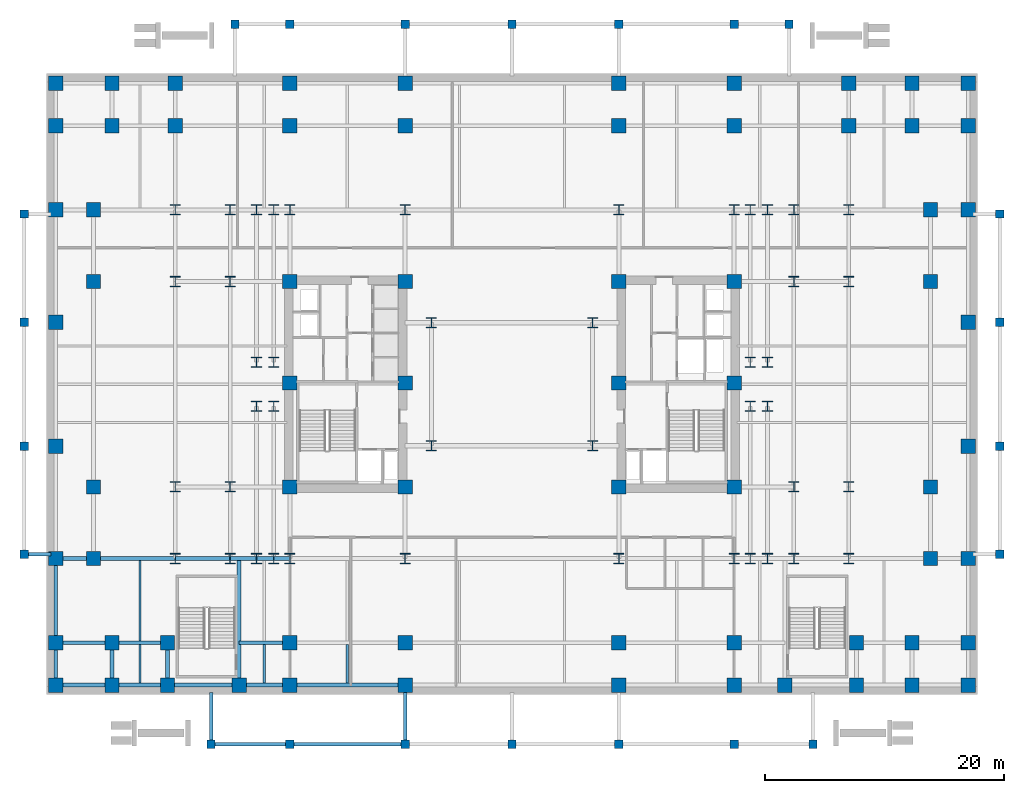
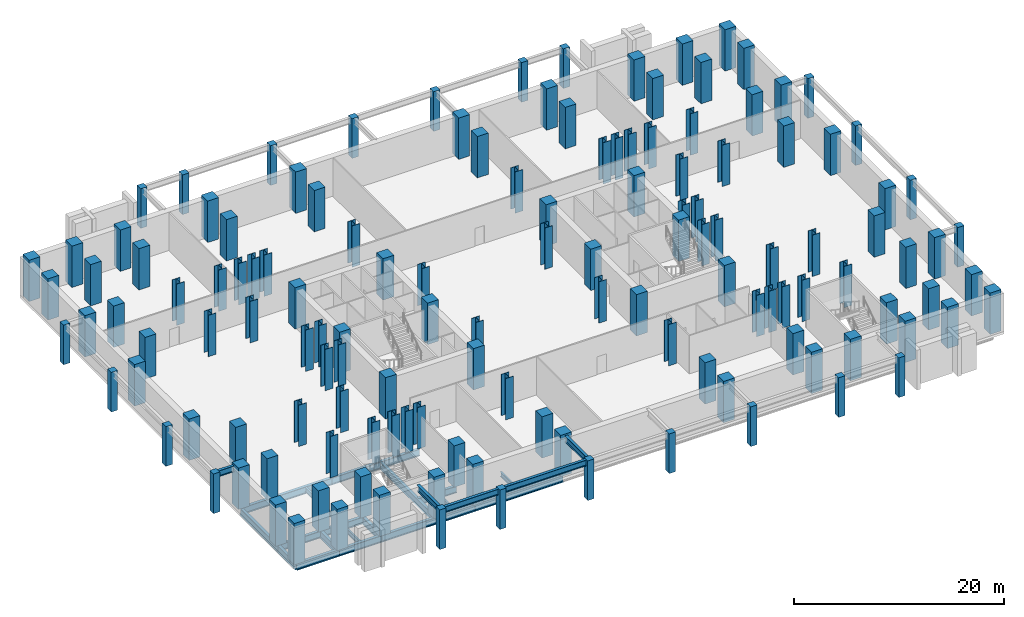
# One storey, part 1 of 13: 136 columns, 26 beams.
"""IFC4 building model written with IfcOpenShell, lengths in metres."""

from ifc_helpers import new_model, si_unit, direction, frame, origin, origin_2d, place, context, subcontext, project, spatial, rectangle, i_section, extrude, material, material_profile, profile_set, type_object, element, save


model = new_model("IFC4")

# Units and contexts
model_context = context("Model", 3, precision=1e-05, world=origin(), true_north=direction((0.0, 1.0)))
body_context = subcontext(model_context, "Body", "Model", "MODEL_VIEW")
ifc_project = project(units=[si_unit("LENGTHUNIT", "METRE"), si_unit("AREAUNIT", "SQUARE_METRE"), si_unit("VOLUMEUNIT", "CUBIC_METRE"), si_unit("PLANEANGLEUNIT", "RADIAN"), si_unit("MASSUNIT", "GRAM", prefix="KILO")], contexts=[model_context])

# Site, building, storey
site_placement = place(None, origin())
site = spatial("IfcSite", under=ifc_project, at=site_placement, CompositionType="ELEMENT")
building_placement = place(site_placement, origin())
building = spatial("IfcBuilding", under=site, at=building_placement, Name="Velakula Bourse", CompositionType="ELEMENT")
storey_placement = place(building_placement, frame((0.0, 0.0, -4.800048828125)))
storey = spatial("IfcBuildingStorey", under=building, at=storey_placement, Name="B01", CompositionType="ELEMENT", Elevation=-4.800048828125)

# Columns
ifc_material_1 = material(Name="Concrete M70 (fck 70 MPa)", Category="concrete")
ifc_material_profile_1 = material_profile(ifc_material_1, rectangle(XDim=1.199951171875, YDim=1.199951171875, at=origin_2d()), Name="Concrete M70 (fck 70 MPa)")
ifc_profile_set_1 = profile_set([ifc_material_profile_1], Name="Concrete M70 (fck 70 MPa)")
column_type_1 = type_object("IfcColumnType", Name="COL-RC-1200", PredefinedType="COLUMN", material=ifc_profile_set_1)
for number, where, z_axis, x_axis, name in (
    (1, (-8.949951171875, -8.60009765625, 0.0), (0.0, 0.0, 1.0), (1.0, 0.0, 0.0), "B01 Core Boundary Column 01"),
    (2, (-8.949951171875, 0.10009765625, 0.0), (0.0, 0.0, 1.0), (1.0, 0.0, 0.0), "B01 Core Boundary Column 02"),
    (3, (-8.949951171875, 8.60009765625, 0.0), (0.0, 0.0, 1.0), (1.0, 0.0, 0.0), "B01 Core Boundary Column 03"),
    (4, (-18.60009765625, -8.60009765625, 0.0), (0.0, 0.0, 1.0), (1.0, 0.0, 0.0), "B01 Core Boundary Column 04"),
    (5, (-18.60009765625, 0.10009765625, 0.0), (0.0, 0.0, 1.0), (1.0, 0.0, 0.0), "B01 Core Boundary Column 05"),
    (6, (-18.60009765625, 8.60009765625, 0.0), (0.0, 0.0, 1.0), (1.0, 0.0, 0.0), "B01 Core Boundary Column 06"),
    (7, (8.949951171875, -8.60009765625, 0.0), (0.0, 0.0, 1.0), (1.0, 0.0, 0.0), "B01 Core Boundary Column 07"),
    (8, (8.949951171875, 0.10009765625, 0.0), (0.0, 0.0, 1.0), (1.0, 0.0, 0.0), "B01 Core Boundary Column 08"),
    (9, (8.949951171875, 8.60009765625, 0.0), (0.0, 0.0, 1.0), (1.0, 0.0, 0.0), "B01 Core Boundary Column 09"),
    (10, (18.60009765625, -8.60009765625, 0.0), (0.0, 0.0, 1.0), (1.0, 0.0, 0.0), "B01 Core Boundary Column 10"),
    (11, (18.60009765625, 0.10009765625, 0.0), (0.0, 0.0, 1.0), (1.0, 0.0, 0.0), "B01 Core Boundary Column 11"),
    (12, (18.60009765625, 8.60009765625, 0.0), (0.0, 0.0, 1.0), (1.0, 0.0, 0.0), "B01 Core Boundary Column 12"),
    (13, (-35.050048828125, -14.60009765625, 0.0), (0.0, 0.0, 1.0), (1.0, 0.0, 0.0), "B01 Station Podium Grid Column 01"),
    (14, (-35.050048828125, -8.60009765625, 0.0), (0.0, 0.0, 1.0), (1.0, 0.0, 0.0), "B01 Station Podium Grid Column 02"),
    (15, (-35.050048828125, 8.60009765625, 0.0), (0.0, 0.0, 1.0), (1.0, 0.0, 0.0), "B01 Station Podium Grid Column 03"),
    (16, (-35.050048828125, 14.60009765625, 0.0), (0.0, 0.0, 1.0), (1.0, 0.0, 0.0), "B01 Station Podium Grid Column 04"),
    (17, (35.050048828125, -14.60009765625, 0.0), (0.0, 0.0, 1.0), (1.0, 0.0, 0.0), "B01 Station Podium Grid Column 05"),
    (18, (35.050048828125, -8.60009765625, 0.0), (0.0, 0.0, 1.0), (1.0, 0.0, 0.0), "B01 Station Podium Grid Column 06"),
    (19, (35.050048828125, 8.60009765625, 0.0), (0.0, 0.0, 1.0), (1.0, 0.0, 0.0), "B01 Station Podium Grid Column 07"),
    (20, (35.050048828125, 14.60009765625, 0.0), (0.0, 0.0, 1.0), (1.0, 0.0, 0.0), "B01 Station Podium Grid Column 08"),
    (21, (-38.199951171875, -21.64990234375, 0.0), (0.0, 0.0, 1.0), (1.0, 0.0, 0.0), "B01 Station Podium Grid Column 09"),
    (22, (-38.199951171875, 21.64990234375, 0.0), (0.0, 0.0, 1.0), (1.0, 0.0, 0.0), "B01 Station Podium Grid Column 10"),
    (23, (-33.5, -21.64990234375, 0.0), (0.0, 0.0, 1.0), (1.0, 0.0, 0.0), "B01 Station Podium Grid Column 11"),
    (24, (-33.5, 21.64990234375, 0.0), (0.0, 0.0, 1.0), (1.0, 0.0, 0.0), "B01 Station Podium Grid Column 12"),
    (25, (-28.85009765625, -21.64990234375, 0.0), (0.0, 0.0, 1.0), (1.0, 0.0, 0.0), "B01 Station Podium Grid Column 13"),
    (26, (-28.199951171875, 21.64990234375, 0.0), (0.0, 0.0, 1.0), (1.0, 0.0, 0.0), "B01 Station Podium Grid Column 14"),
    (27, (-18.60009765625, -21.64990234375, 0.0), (0.0, 0.0, 1.0), (1.0, 0.0, 0.0), "B01 Station Podium Grid Column 15"),
    (28, (-18.60009765625, 21.64990234375, 0.0), (0.0, 0.0, 1.0), (1.0, 0.0, 0.0), "B01 Station Podium Grid Column 16"),
    (29, (-8.949951171875, -21.64990234375, 0.0), (0.0, 0.0, 1.0), (1.0, 0.0, 0.0), "B01 Station Podium Grid Column 17"),
    (30, (-8.949951171875, 21.64990234375, 0.0), (0.0, 0.0, 1.0), (1.0, 0.0, 0.0), "B01 Station Podium Grid Column 18"),
    (31, (8.949951171875, -21.64990234375, 0.0), (0.0, 0.0, 1.0), (1.0, 0.0, 0.0), "B01 Station Podium Grid Column 19"),
    (32, (8.949951171875, 21.64990234375, 0.0), (0.0, 0.0, 1.0), (1.0, 0.0, 0.0), "B01 Station Podium Grid Column 20"),
    (33, (18.60009765625, -21.64990234375, 0.0), (0.0, 0.0, 1.0), (1.0, 0.0, 0.0), "B01 Station Podium Grid Column 21"),
    (34, (18.60009765625, 21.64990234375, 0.0), (0.0, 0.0, 1.0), (1.0, 0.0, 0.0), "B01 Station Podium Grid Column 22"),
    (35, (28.85009765625, -21.64990234375, 0.0), (0.0, 0.0, 1.0), (1.0, 0.0, 0.0), "B01 Station Podium Grid Column 23"),
    (36, (28.199951171875, 21.64990234375, 0.0), (0.0, 0.0, 1.0), (1.0, 0.0, 0.0), "B01 Station Podium Grid Column 24"),
    (37, (33.5, -21.64990234375, 0.0), (0.0, 0.0, 1.0), (1.0, 0.0, 0.0), "B01 Station Podium Grid Column 25"),
    (38, (33.5, 21.64990234375, 0.0), (0.0, 0.0, 1.0), (1.0, 0.0, 0.0), "B01 Station Podium Grid Column 26"),
    (39, (38.199951171875, -21.64990234375, 0.0), (0.0, 0.0, 1.0), (1.0, 0.0, 0.0), "B01 Station Podium Grid Column 27"),
    (40, (38.199951171875, 21.64990234375, 0.0), (0.0, 0.0, 1.0), (1.0, 0.0, 0.0), "B01 Station Podium Grid Column 28"),
    (41, (-38.199951171875, -25.199951171875, 0.0), (0.0, 0.0, 1.0), (1.0, 0.0, 0.0), "B01 Station Podium Grid Column 29"),
    (42, (-38.199951171875, 25.199951171875, 0.0), (0.0, 0.0, 1.0), (1.0, 0.0, 0.0), "B01 Station Podium Grid Column 30"),
    (43, (-33.5, -25.199951171875, 0.0), (0.0, 0.0, 1.0), (1.0, 0.0, 0.0), "B01 Station Podium Grid Column 31"),
    (44, (-33.5, 25.199951171875, 0.0), (0.0, 0.0, 1.0), (1.0, 0.0, 0.0), "B01 Station Podium Grid Column 32"),
    (45, (-28.85009765625, -25.199951171875, 0.0), (0.0, 0.0, 1.0), (1.0, 0.0, 0.0), "B01 Station Podium Grid Column 33"),
    (46, (-28.199951171875, 25.199951171875, 0.0), (0.0, 0.0, 1.0), (1.0, 0.0, 0.0), "B01 Station Podium Grid Column 34"),
    (47, (-22.85009765625, -25.199951171875, 0.0), (0.0, 0.0, 1.0), (1.0, 0.0, 0.0), "B01 Station Podium Grid Column 35"),
    (48, (22.85009765625, -25.199951171875, 0.0), (0.0, 0.0, 1.0), (1.0, 0.0, 0.0), "B01 Station Podium Grid Column 36"),
    (49, (-18.60009765625, -25.199951171875, 0.0), (0.0, 0.0, 1.0), (1.0, 0.0, 0.0), "B01 Station Podium Grid Column 39"),
    (50, (-18.60009765625, 25.199951171875, 0.0), (0.0, 0.0, 1.0), (1.0, 0.0, 0.0), "B01 Station Podium Grid Column 40"),
    (51, (-8.949951171875, -25.199951171875, 0.0), (0.0, 0.0, 1.0), (1.0, 0.0, 0.0), "B01 Station Podium Grid Column 41"),
    (52, (-8.949951171875, 25.199951171875, 0.0), (0.0, 0.0, 1.0), (1.0, 0.0, 0.0), "B01 Station Podium Grid Column 42"),
    (53, (8.949951171875, -25.199951171875, 0.0), (0.0, 0.0, 1.0), (1.0, 0.0, 0.0), "B01 Station Podium Grid Column 43"),
    (54, (8.949951171875, 25.199951171875, 0.0), (0.0, 0.0, 1.0), (1.0, 0.0, 0.0), "B01 Station Podium Grid Column 44"),
    (55, (18.60009765625, -25.199951171875, 0.0), (0.0, 0.0, 1.0), (1.0, 0.0, 0.0), "B01 Station Podium Grid Column 45"),
    (56, (18.60009765625, 25.199951171875, 0.0), (0.0, 0.0, 1.0), (1.0, 0.0, 0.0), "B01 Station Podium Grid Column 46"),
    (57, (28.85009765625, -25.199951171875, 0.0), (0.0, 0.0, 1.0), (1.0, 0.0, 0.0), "B01 Station Podium Grid Column 47"),
    (58, (28.199951171875, 25.199951171875, 0.0), (0.0, 0.0, 1.0), (1.0, 0.0, 0.0), "B01 Station Podium Grid Column 48"),
    (59, (33.5, -25.199951171875, 0.0), (0.0, 0.0, 1.0), (1.0, 0.0, 0.0), "B01 Station Podium Grid Column 49"),
    (60, (33.5, 25.199951171875, 0.0), (0.0, 0.0, 1.0), (1.0, 0.0, 0.0), "B01 Station Podium Grid Column 50"),
    (61, (38.199951171875, -25.199951171875, 0.0), (0.0, 0.0, 1.0), (1.0, 0.0, 0.0), "B01 Station Podium Grid Column 51"),
    (62, (38.199951171875, 25.199951171875, 0.0), (0.0, 0.0, 1.0), (1.0, 0.0, 0.0), "B01 Station Podium Grid Column 52"),
    (63, (-38.199951171875, -14.60009765625, 0.0), (0.0, 0.0, 1.0), (1.0, 0.0, 0.0), "B01 Station Podium Grid Column 53"),
    (64, (-38.199951171875, -5.199951171875, 0.0), (0.0, 0.0, 1.0), (1.0, 0.0, 0.0), "B01 Station Podium Grid Column 54"),
    (65, (-38.199951171875, 5.199951171875, 0.0), (0.0, 0.0, 1.0), (1.0, 0.0, 0.0), "B01 Station Podium Grid Column 55"),
    (66, (-38.199951171875, 14.60009765625, 0.0), (0.0, 0.0, 1.0), (1.0, 0.0, 0.0), "B01 Station Podium Grid Column 56"),
    (67, (38.199951171875, -14.60009765625, 0.0), (0.0, 0.0, 1.0), (1.0, 0.0, 0.0), "B01 Station Podium Grid Column 57"),
    (68, (38.199951171875, -5.199951171875, 0.0), (0.0, 0.0, 1.0), (1.0, 0.0, 0.0), "B01 Station Podium Grid Column 58"),
    (69, (38.199951171875, 5.199951171875, 0.0), (0.0, 0.0, 1.0), (1.0, 0.0, 0.0), "B01 Station Podium Grid Column 59"),
    (70, (38.199951171875, 14.60009765625, 0.0), (0.0, 0.0, 1.0), (1.0, 0.0, 0.0), "B01 Station Podium Grid Column 60"),
):
    element("IfcColumn", number, at=place(storey_placement, frame(where, z_axis=z_axis, x_axis=x_axis)), inside=storey, type_object=column_type_1, Name=name, PredefinedType="COLUMN", context=body_context, shape_type="SweptSolid", body=[
        extrude(rectangle(XDim=1.199951171875, YDim=1.199951171875, at=origin_2d()), origin(), (0.0, 0.0, 1.0), 4.800048828125),
    ])
ifc_material_2 = material(Name="Concrete M50 (fck 50 MPa)", Category="concrete")
ifc_material_profile_2 = material_profile(ifc_material_2, rectangle(XDim=0.699951171875, YDim=0.699951171875, at=origin_2d()), Name="Concrete M50 (fck 50 MPa)")
ifc_profile_set_2 = profile_set([ifc_material_profile_2], Name="Concrete M50 (fck 50 MPa)")
column_type_2 = type_object("IfcColumnType", Name="COL-RC-700", PredefinedType="COLUMN", material=ifc_profile_set_2)
for number, where, z_axis, x_axis, name in (
    (71, (-25.199951171875, -30.14990234375, 0.0), (0.0, 0.0, 1.0), (1.0, 0.0, 0.0), "B01 Forecourt Support Pier 01"),
    (72, (-18.60009765625, -30.14990234375, 0.0), (0.0, 0.0, 1.0), (1.0, 0.0, 0.0), "B01 Forecourt Support Pier 02"),
    (73, (-8.949951171875, -30.14990234375, 0.0), (0.0, 0.0, 1.0), (1.0, 0.0, 0.0), "B01 Forecourt Support Pier 03"),
    (74, (0.0, -30.14990234375, 0.0), (0.0, 0.0, 1.0), (1.0, 0.0, 0.0), "B01 Forecourt Support Pier 04"),
    (75, (8.949951171875, -30.14990234375, 0.0), (0.0, 0.0, 1.0), (1.0, 0.0, 0.0), "B01 Forecourt Support Pier 05"),
    (76, (18.60009765625, -30.14990234375, 0.0), (0.0, 0.0, 1.0), (1.0, 0.0, 0.0), "B01 Forecourt Support Pier 06"),
    (77, (25.199951171875, -30.14990234375, 0.0), (0.0, 0.0, 1.0), (1.0, 0.0, 0.0), "B01 Forecourt Support Pier 07"),
    (78, (-23.199951171875, 30.14990234375, 0.0), (0.0, 0.0, 1.0), (1.0, 0.0, 0.0), "B01 Forecourt Support Pier 08"),
    (79, (-18.60009765625, 30.14990234375, 0.0), (0.0, 0.0, 1.0), (1.0, 0.0, 0.0), "B01 Forecourt Support Pier 09"),
    (80, (-8.949951171875, 30.14990234375, 0.0), (0.0, 0.0, 1.0), (1.0, 0.0, 0.0), "B01 Forecourt Support Pier 10"),
    (81, (0.0, 30.14990234375, 0.0), (0.0, 0.0, 1.0), (1.0, 0.0, 0.0), "B01 Forecourt Support Pier 11"),
    (82, (8.949951171875, 30.14990234375, 0.0), (0.0, 0.0, 1.0), (1.0, 0.0, 0.0), "B01 Forecourt Support Pier 12"),
    (83, (18.60009765625, 30.14990234375, 0.0), (0.0, 0.0, 1.0), (1.0, 0.0, 0.0), "B01 Forecourt Support Pier 13"),
    (84, (23.199951171875, 30.14990234375, 0.0), (0.0, 0.0, 1.0), (1.0, 0.0, 0.0), "B01 Forecourt Support Pier 14"),
    (85, (-40.85009765625, -14.25, 0.0), (0.0, 0.0, 1.0), (1.0, 0.0, 0.0), "B01 Forecourt Support Pier 15"),
    (86, (-40.85009765625, -5.199951171875, 0.0), (0.0, 0.0, 1.0), (1.0, 0.0, 0.0), "B01 Forecourt Support Pier 16"),
    (87, (-40.85009765625, 5.199951171875, 0.0), (0.0, 0.0, 1.0), (1.0, 0.0, 0.0), "B01 Forecourt Support Pier 17"),
    (88, (-40.85009765625, 14.25, 0.0), (0.0, 0.0, 1.0), (1.0, 0.0, 0.0), "B01 Forecourt Support Pier 18"),
    (89, (40.85009765625, -14.25, 0.0), (0.0, 0.0, 1.0), (1.0, 0.0, 0.0), "B01 Forecourt Support Pier 19"),
    (90, (40.85009765625, -5.199951171875, 0.0), (0.0, 0.0, 1.0), (1.0, 0.0, 0.0), "B01 Forecourt Support Pier 20"),
    (91, (40.85009765625, 5.199951171875, 0.0), (0.0, 0.0, 1.0), (1.0, 0.0, 0.0), "B01 Forecourt Support Pier 21"),
    (92, (40.85009765625, 14.25, 0.0), (0.0, 0.0, 1.0), (1.0, 0.0, 0.0), "B01 Forecourt Support Pier 22"),
):
    element("IfcColumn", number, at=place(storey_placement, frame(where, z_axis=z_axis, x_axis=x_axis)), inside=storey, type_object=column_type_2, Name=name, PredefinedType="COLUMN", context=body_context, shape_type="SweptSolid", body=[
        extrude(rectangle(XDim=0.699951171875, YDim=0.699951171875, at=origin_2d()), origin(), (0.0, 0.0, 1.0), 4.60009765625),
    ])
ifc_material_3 = material(Name="Steel IS 2062 Grade 450 (E450)", Category="steel")
ifc_material_profile_3 = material_profile(ifc_material_3, i_section(OverallWidth=0.85009765625, OverallDepth=0.85009765625, WebThickness=0.031982421875, FlangeThickness=0.048095703125, at=origin_2d()), Name="Steel IS 2062 Grade 450 (E450)")
ifc_profile_set_3 = profile_set([ifc_material_profile_3], Name="Steel IS 2062 Grade 450 (E450)")
column_type_3 = type_object("IfcColumnType", Name="COL-STL-850", PredefinedType="COLUMN", material=ifc_profile_set_3)
for number, where, z_axis, x_axis, name in (
    (93, (-6.75, -5.14990234375, 0.0), (0.0, 0.0, 1.0), (1.0, 0.0, 0.0), "B01 Central Spine Column 01"),
    (94, (-6.75, 5.14990234375, 0.0), (0.0, 0.0, 1.0), (1.0, 0.0, 0.0), "B01 Central Spine Column 02"),
    (95, (6.75, -5.14990234375, 0.0), (0.0, 0.0, 1.0), (1.0, 0.0, 0.0), "B01 Central Spine Column 03"),
    (96, (6.75, 5.14990234375, 0.0), (0.0, 0.0, 1.0), (1.0, 0.0, 0.0), "B01 Central Spine Column 04"),
    (97, (-21.39990234375, -14.60009765625, 0.0), (0.0, 0.0, 1.0), (1.0, 0.0, 0.0), "B01 Tower Fulcrum Column 01"),
    (98, (-21.39990234375, 14.60009765625, 0.0), (0.0, 0.0, 1.0), (1.0, 0.0, 0.0), "B01 Tower Fulcrum Column 02"),
    (99, (-19.949951171875, -14.60009765625, 0.0), (0.0, 0.0, 1.0), (1.0, 0.0, 0.0), "B01 Tower Fulcrum Column 03"),
    (100, (-19.949951171875, 14.60009765625, 0.0), (0.0, 0.0, 1.0), (1.0, 0.0, 0.0), "B01 Tower Fulcrum Column 04"),
    (101, (-18.60009765625, -14.60009765625, 0.0), (0.0, 0.0, 1.0), (1.0, 0.0, 0.0), "B01 Tower Fulcrum Column 05"),
    (102, (-18.60009765625, 14.60009765625, 0.0), (0.0, 0.0, 1.0), (1.0, 0.0, 0.0), "B01 Tower Fulcrum Column 06"),
    (103, (-8.949951171875, -14.60009765625, 0.0), (0.0, 0.0, 1.0), (1.0, 0.0, 0.0), "B01 Tower Fulcrum Column 07"),
    (104, (-8.949951171875, 14.60009765625, 0.0), (0.0, 0.0, 1.0), (1.0, 0.0, 0.0), "B01 Tower Fulcrum Column 08"),
    (105, (8.949951171875, -14.60009765625, 0.0), (0.0, 0.0, 1.0), (1.0, 0.0, 0.0), "B01 Tower Fulcrum Column 09"),
    (106, (8.949951171875, 14.60009765625, 0.0), (0.0, 0.0, 1.0), (1.0, 0.0, 0.0), "B01 Tower Fulcrum Column 10"),
    (107, (18.60009765625, -14.60009765625, 0.0), (0.0, 0.0, 1.0), (1.0, 0.0, 0.0), "B01 Tower Fulcrum Column 11"),
    (108, (18.60009765625, 14.60009765625, 0.0), (0.0, 0.0, 1.0), (1.0, 0.0, 0.0), "B01 Tower Fulcrum Column 12"),
    (109, (19.949951171875, -14.60009765625, 0.0), (0.0, 0.0, 1.0), (1.0, 0.0, 0.0), "B01 Tower Fulcrum Column 13"),
    (110, (19.949951171875, 14.60009765625, 0.0), (0.0, 0.0, 1.0), (1.0, 0.0, 0.0), "B01 Tower Fulcrum Column 14"),
    (111, (21.39990234375, -14.60009765625, 0.0), (0.0, 0.0, 1.0), (1.0, 0.0, 0.0), "B01 Tower Fulcrum Column 15"),
    (112, (21.39990234375, 14.60009765625, 0.0), (0.0, 0.0, 1.0), (1.0, 0.0, 0.0), "B01 Tower Fulcrum Column 16"),
    (113, (-21.39990234375, -1.85009765625, 0.0), (0.0, 0.0, 1.0), (1.0, 0.0, 0.0), "B01 Tower Fulcrum Column 17"),
    (114, (-21.39990234375, 1.85009765625, 0.0), (0.0, 0.0, 1.0), (1.0, 0.0, 0.0), "B01 Tower Fulcrum Column 18"),
    (115, (-19.949951171875, -1.85009765625, 0.0), (0.0, 0.0, 1.0), (1.0, 0.0, 0.0), "B01 Tower Fulcrum Column 19"),
    (116, (-19.949951171875, 1.85009765625, 0.0), (0.0, 0.0, 1.0), (1.0, 0.0, 0.0), "B01 Tower Fulcrum Column 20"),
    (117, (19.949951171875, -1.85009765625, 0.0), (0.0, 0.0, 1.0), (1.0, 0.0, 0.0), "B01 Tower Fulcrum Column 21"),
    (118, (19.949951171875, 1.85009765625, 0.0), (0.0, 0.0, 1.0), (1.0, 0.0, 0.0), "B01 Tower Fulcrum Column 22"),
    (119, (21.39990234375, -1.85009765625, 0.0), (0.0, 0.0, 1.0), (1.0, 0.0, 0.0), "B01 Tower Fulcrum Column 23"),
    (120, (21.39990234375, 1.85009765625, 0.0), (0.0, 0.0, 1.0), (1.0, 0.0, 0.0), "B01 Tower Fulcrum Column 24"),
    (121, (-23.60009765625, -14.60009765625, 0.0), (0.0, 0.0, 1.0), (1.0, 0.0, 0.0), "B01 Mid-Wing Plumb Column 01"),
    (122, (-23.60009765625, -8.60009765625, 0.0), (0.0, 0.0, 1.0), (1.0, 0.0, 0.0), "B01 Mid-Wing Plumb Column 02"),
    (123, (-23.60009765625, 8.60009765625, 0.0), (0.0, 0.0, 1.0), (1.0, 0.0, 0.0), "B01 Mid-Wing Plumb Column 03"),
    (124, (-23.60009765625, 14.60009765625, 0.0), (0.0, 0.0, 1.0), (1.0, 0.0, 0.0), "B01 Mid-Wing Plumb Column 04"),
    (125, (23.60009765625, -14.60009765625, 0.0), (0.0, 0.0, 1.0), (1.0, 0.0, 0.0), "B01 Mid-Wing Plumb Column 05"),
    (126, (23.60009765625, -8.60009765625, 0.0), (0.0, 0.0, 1.0), (1.0, 0.0, 0.0), "B01 Mid-Wing Plumb Column 06"),
    (127, (23.60009765625, 8.60009765625, 0.0), (0.0, 0.0, 1.0), (1.0, 0.0, 0.0), "B01 Mid-Wing Plumb Column 07"),
    (128, (23.60009765625, 14.60009765625, 0.0), (0.0, 0.0, 1.0), (1.0, 0.0, 0.0), "B01 Mid-Wing Plumb Column 08"),
    (129, (-28.199951171875, -14.60009765625, 0.0), (0.0, 0.0, 1.0), (1.0, 0.0, 0.0), "B01 Lower Wing Column 01"),
    (130, (-28.199951171875, -8.60009765625, 0.0), (0.0, 0.0, 1.0), (1.0, 0.0, 0.0), "B01 Lower Wing Column 02"),
    (131, (-28.199951171875, 8.60009765625, 0.0), (0.0, 0.0, 1.0), (1.0, 0.0, 0.0), "B01 Lower Wing Column 03"),
    (132, (-28.199951171875, 14.60009765625, 0.0), (0.0, 0.0, 1.0), (1.0, 0.0, 0.0), "B01 Lower Wing Column 04"),
    (133, (28.199951171875, -14.60009765625, 0.0), (0.0, 0.0, 1.0), (1.0, 0.0, 0.0), "B01 Lower Wing Column 05"),
    (134, (28.199951171875, -8.60009765625, 0.0), (0.0, 0.0, 1.0), (1.0, 0.0, 0.0), "B01 Lower Wing Column 06"),
    (135, (28.199951171875, 8.60009765625, 0.0), (0.0, 0.0, 1.0), (1.0, 0.0, 0.0), "B01 Lower Wing Column 07"),
    (136, (28.199951171875, 14.60009765625, 0.0), (0.0, 0.0, 1.0), (1.0, 0.0, 0.0), "B01 Lower Wing Column 08"),
):
    element("IfcColumn", number, at=place(storey_placement, frame(where, z_axis=z_axis, x_axis=x_axis)), inside=storey, type_object=column_type_3, Name=name, PredefinedType="COLUMN", context=body_context, shape_type="SweptSolid", body=[
        extrude(i_section(OverallWidth=0.85009765625, OverallDepth=0.85009765625, WebThickness=0.031982421875, FlangeThickness=0.048095703125, at=origin_2d()), origin(), (0.0, 0.0, 1.0), 4.800048828125),
    ])

# Beams
ifc_material_4 = material(Name="Steel IS 2062 Grade 350 (E350)", Category="steel")
ifc_material_profile_4 = material_profile(ifc_material_4, i_section(OverallWidth=0.300048828125, OverallDepth=0.699951171875, WebThickness=0.01611328125, FlangeThickness=0.02490234375, at=origin_2d()), Name="Steel IS 2062 Grade 350 (E350)")
ifc_profile_set_4 = profile_set([ifc_material_profile_4], Name="Steel IS 2062 Grade 350 (E350)")
beam_type_1 = type_object("IfcBeamType", Name="BM-POD-700", PredefinedType="BEAM", material=ifc_profile_set_4)
beam_1_placement = place(storey_placement, frame((-25.35009765625, -30.14990234375, 4.25), z_axis=(1.0, 0.0, 0.0), x_axis=(0.0, 1.0, 0.0)))
element("IfcBeam", 137, at=beam_1_placement, inside=storey, type_object=beam_type_1, Name="Forecourt Sub-Plaza Support Girder PLZ-S1", PredefinedType="BEAM", context=body_context, shape_type="SweptSolid", body=[
    extrude(i_section(OverallWidth=0.300048828125, OverallDepth=0.699951171875, WebThickness=0.01611328125, FlangeThickness=0.02490234375, at=origin_2d()), origin(), (0.0, 0.0, 1.0), 6.75),
])
beam_2_placement = place(storey_placement, frame((-18.60009765625, -30.14990234375, 4.25), z_axis=(1.0, 0.0, 0.0), x_axis=(0.0, 1.0, 0.0)))
element("IfcBeam", 138, at=beam_2_placement, inside=storey, type_object=beam_type_1, Name="Forecourt Sub-Plaza Support Girder PLZ-S2", PredefinedType="BEAM", context=body_context, shape_type="SweptSolid", body=[
    extrude(i_section(OverallWidth=0.300048828125, OverallDepth=0.699951171875, WebThickness=0.01611328125, FlangeThickness=0.02490234375, at=origin_2d()), origin(), (0.0, 0.0, 1.0), 9.650146484375),
])
for number, where, z_axis, x_axis, name in (
    (139, (-25.199951171875, -30.14990234375, 4.25), (0.0, 1.0, 0.0), (-1.0, 0.0, 0.0), "Forecourt Sub-Plaza Support Girder PLZ-CS1"),
    (140, (-8.949951171875, -30.14990234375, 4.25), (0.0, 1.0, 0.0), (-1.0, 0.0, 0.0), "Forecourt Sub-Plaza Support Girder PLZ-CS2"),
):
    element("IfcBeam", number, at=place(storey_placement, frame(where, z_axis=z_axis, x_axis=x_axis)), inside=storey, type_object=beam_type_1, Name=name, PredefinedType="BEAM", context=body_context, shape_type="SweptSolid", body=[
        extrude(i_section(OverallWidth=0.300048828125, OverallDepth=0.699951171875, WebThickness=0.01611328125, FlangeThickness=0.02490234375, at=origin_2d()), origin(), (0.0, 0.0, 1.0), 4.349853515625),
    ])
beam_3_placement = place(storey_placement, frame((-40.85009765625, -14.25, 4.25), z_axis=(1.0, 0.0, 0.0), x_axis=(0.0, 1.0, 0.0)))
element("IfcBeam", 141, at=beam_3_placement, inside=storey, type_object=beam_type_1, Name="Forecourt Sub-Plaza Support Girder PLZ-CW1", PredefinedType="BEAM", context=body_context, shape_type="SweptSolid", body=[
    extrude(i_section(OverallWidth=0.300048828125, OverallDepth=0.699951171875, WebThickness=0.01611328125, FlangeThickness=0.02490234375, at=origin_2d()), origin(), (0.0, 0.0, 1.0), 2.25),
])
ifc_material_profile_5 = material_profile(ifc_material_4, i_section(OverallWidth=0.320068359375, OverallDepth=0.800048828125, WebThickness=0.01806640625, FlangeThickness=0.028076171875, at=origin_2d()), Name="Steel IS 2062 Grade 350 (E350)")
ifc_profile_set_5 = profile_set([ifc_material_profile_5], Name="Steel IS 2062 Grade 350 (E350)")
beam_type_2 = type_object("IfcBeamType", Name="BM-POD-800", PredefinedType="BEAM", material=ifc_profile_set_5)
beam_4_placement = place(storey_placement, frame((-23.60009765625, -14.60009765625, -0.699951171875), z_axis=(1.0, 0.0, 0.0), x_axis=(0.0, 1.0, 0.0)))
element("IfcBeam", 142, at=beam_4_placement, inside=storey, type_object=beam_type_2, Name="B01 Fulcrum Grid Girder MWG-WS1", PredefinedType="BEAM", context=body_context, shape_type="SweptSolid", body=[
    extrude(i_section(OverallWidth=0.320068359375, OverallDepth=0.800048828125, WebThickness=0.01806640625, FlangeThickness=0.028076171875, at=origin_2d()), origin(), (0.0, 0.0, 1.0), 5.0),
])
beam_5_placement = place(storey_placement, frame((-28.199951171875, -14.60009765625, -0.699951171875), z_axis=(1.0, 0.0, 0.0), x_axis=(0.0, 1.0, 0.0)))
element("IfcBeam", 143, at=beam_5_placement, inside=storey, type_object=beam_type_2, Name="B01 Fulcrum Grid Girder WNG-WS1", PredefinedType="BEAM", context=body_context, shape_type="SweptSolid", body=[
    extrude(i_section(OverallWidth=0.320068359375, OverallDepth=0.800048828125, WebThickness=0.01806640625, FlangeThickness=0.028076171875, at=origin_2d()), origin(), (0.0, 0.0, 1.0), 4.599853515625),
])
beam_6_placement = place(storey_placement, frame((-22.85009765625, -25.199951171875, -0.699951171875), z_axis=(0.0, 1.0, 0.0), x_axis=(-1.0, 0.0, 0.0)))
element("IfcBeam", 144, at=beam_6_placement, inside=storey, type_object=beam_type_2, Name="B01 Podium Stairwell Header Girder STW", PredefinedType="BEAM", context=body_context, shape_type="SweptSolid", body=[
    extrude(i_section(OverallWidth=0.320068359375, OverallDepth=0.800048828125, WebThickness=0.01806640625, FlangeThickness=0.028076171875, at=origin_2d()), origin(), (0.0, 0.0, 1.0), 10.599853515625),
])
beam_7_placement = place(storey_placement, frame((-38.199951171875, -25.199951171875, -0.699951171875), z_axis=(1.0, 0.0, 0.0), x_axis=(0.0, 1.0, 0.0)))
element("IfcBeam", 145, at=beam_7_placement, inside=storey, type_object=beam_type_2, Name="B01 Podium E-W Girder 01", PredefinedType="BEAM", context=body_context, shape_type="SweptSolid", body=[
    extrude(i_section(OverallWidth=0.320068359375, OverallDepth=0.800048828125, WebThickness=0.01806640625, FlangeThickness=0.028076171875, at=origin_2d()), origin(), (0.0, 0.0, 1.0), 4.699951171875),
])
beam_8_placement = place(storey_placement, frame((-33.5, -25.199951171875, -0.699951171875), z_axis=(1.0, 0.0, 0.0), x_axis=(0.0, 1.0, 0.0)))
element("IfcBeam", 146, at=beam_8_placement, inside=storey, type_object=beam_type_2, Name="B01 Podium E-W Girder 02", PredefinedType="BEAM", context=body_context, shape_type="SweptSolid", body=[
    extrude(i_section(OverallWidth=0.320068359375, OverallDepth=0.800048828125, WebThickness=0.01806640625, FlangeThickness=0.028076171875, at=origin_2d()), origin(), (0.0, 0.0, 1.0), 4.64990234375),
])
beam_9_placement = place(storey_placement, frame((-28.85009765625, -25.199951171875, -0.699951171875), z_axis=(1.0, 0.0, 0.0), x_axis=(0.0, 1.0, 0.0)))
element("IfcBeam", 147, at=beam_9_placement, inside=storey, type_object=beam_type_2, Name="B01 Podium E-W Girder 03", PredefinedType="BEAM", context=body_context, shape_type="SweptSolid", body=[
    extrude(i_section(OverallWidth=0.320068359375, OverallDepth=0.800048828125, WebThickness=0.01806640625, FlangeThickness=0.028076171875, at=origin_2d()), origin(), (0.0, 0.0, 1.0), 6.0),
])
beam_10_placement = place(storey_placement, frame((-22.85009765625, -25.199951171875, -0.699951171875), z_axis=(1.0, 0.0, 0.0), x_axis=(0.0, 1.0, 0.0)))
element("IfcBeam", 148, at=beam_10_placement, inside=storey, type_object=beam_type_2, Name="B01 Podium E-W Girder 04", PredefinedType="BEAM", context=body_context, shape_type="SweptSolid", body=[
    extrude(i_section(OverallWidth=0.320068359375, OverallDepth=0.800048828125, WebThickness=0.01806640625, FlangeThickness=0.028076171875, at=origin_2d()), origin(), (0.0, 0.0, 1.0), 4.25),
])
beam_11_placement = place(storey_placement, frame((-18.60009765625, -25.199951171875, -0.699951171875), z_axis=(1.0, 0.0, 0.0), x_axis=(0.0, 1.0, 0.0)))
element("IfcBeam", 149, at=beam_11_placement, inside=storey, type_object=beam_type_2, Name="B01 Podium E-W Girder 05", PredefinedType="BEAM", context=body_context, shape_type="SweptSolid", body=[
    extrude(i_section(OverallWidth=0.320068359375, OverallDepth=0.800048828125, WebThickness=0.01806640625, FlangeThickness=0.028076171875, at=origin_2d()), origin(), (0.0, 0.0, 1.0), 9.650146484375),
])
beam_12_placement = place(storey_placement, frame((-38.199951171875, -21.64990234375, -0.699951171875), z_axis=(1.0, 0.0, 0.0), x_axis=(0.0, 1.0, 0.0)))
element("IfcBeam", 150, at=beam_12_placement, inside=storey, type_object=beam_type_2, Name="B01 Podium E-W Girder 12", PredefinedType="BEAM", context=body_context, shape_type="SweptSolid", body=[
    extrude(i_section(OverallWidth=0.320068359375, OverallDepth=0.800048828125, WebThickness=0.01806640625, FlangeThickness=0.028076171875, at=origin_2d()), origin(), (0.0, 0.0, 1.0), 4.699951171875),
])
beam_13_placement = place(storey_placement, frame((-33.5, -21.64990234375, -0.699951171875), z_axis=(1.0, 0.0, 0.0), x_axis=(0.0, 1.0, 0.0)))
element("IfcBeam", 151, at=beam_13_placement, inside=storey, type_object=beam_type_2, Name="B01 Podium E-W Girder 13", PredefinedType="BEAM", context=body_context, shape_type="SweptSolid", body=[
    extrude(i_section(OverallWidth=0.320068359375, OverallDepth=0.800048828125, WebThickness=0.01806640625, FlangeThickness=0.028076171875, at=origin_2d()), origin(), (0.0, 0.0, 1.0), 4.64990234375),
])
beam_14_placement = place(storey_placement, frame((-22.85009765625, -21.64990234375, -0.699951171875), z_axis=(1.0, 0.0, 0.0), x_axis=(0.0, 1.0, 0.0)))
element("IfcBeam", 152, at=beam_14_placement, inside=storey, type_object=beam_type_2, Name="B01 Podium E-W Girder 14", PredefinedType="BEAM", context=body_context, shape_type="SweptSolid", body=[
    extrude(i_section(OverallWidth=0.320068359375, OverallDepth=0.800048828125, WebThickness=0.01806640625, FlangeThickness=0.028076171875, at=origin_2d()), origin(), (0.0, 0.0, 1.0), 4.25),
])
beam_15_placement = place(storey_placement, frame((-38.199951171875, -14.60009765625, -0.699951171875), z_axis=(1.0, 0.0, 0.0), x_axis=(0.0, 1.0, 0.0)))
element("IfcBeam", 153, at=beam_15_placement, inside=storey, type_object=beam_type_2, Name="B01 Podium E-W Girder 21", PredefinedType="BEAM", context=body_context, shape_type="SweptSolid", body=[
    extrude(i_section(OverallWidth=0.320068359375, OverallDepth=0.800048828125, WebThickness=0.01806640625, FlangeThickness=0.028076171875, at=origin_2d()), origin(), (0.0, 0.0, 1.0), 3.14990234375),
])
beam_16_placement = place(storey_placement, frame((-35.050048828125, -14.60009765625, -0.699951171875), z_axis=(1.0, 0.0, 0.0), x_axis=(0.0, 1.0, 0.0)))
element("IfcBeam", 154, at=beam_16_placement, inside=storey, type_object=beam_type_2, Name="B01 Podium E-W Girder 22", PredefinedType="BEAM", context=body_context, shape_type="SweptSolid", body=[
    extrude(i_section(OverallWidth=0.320068359375, OverallDepth=0.800048828125, WebThickness=0.01806640625, FlangeThickness=0.028076171875, at=origin_2d()), origin(), (0.0, 0.0, 1.0), 6.85009765625),
])
beam_17_placement = place(storey_placement, frame((-38.199951171875, -25.199951171875, -0.699951171875), z_axis=(0.0, 1.0, 0.0), x_axis=(-1.0, 0.0, 0.0)))
element("IfcBeam", 155, at=beam_17_placement, inside=storey, type_object=beam_type_2, Name="B01 Podium N-S Girder 65", PredefinedType="BEAM", context=body_context, shape_type="SweptSolid", body=[
    extrude(i_section(OverallWidth=0.320068359375, OverallDepth=0.800048828125, WebThickness=0.01806640625, FlangeThickness=0.028076171875, at=origin_2d()), origin(), (0.0, 0.0, 1.0), 3.550048828125),
])
beam_18_placement = place(storey_placement, frame((-38.199951171875, -21.64990234375, -0.699951171875), z_axis=(0.0, 1.0, 0.0), x_axis=(-1.0, 0.0, 0.0)))
element("IfcBeam", 156, at=beam_18_placement, inside=storey, type_object=beam_type_2, Name="B01 Podium N-S Girder 66", PredefinedType="BEAM", context=body_context, shape_type="SweptSolid", body=[
    extrude(i_section(OverallWidth=0.320068359375, OverallDepth=0.800048828125, WebThickness=0.01806640625, FlangeThickness=0.028076171875, at=origin_2d()), origin(), (0.0, 0.0, 1.0), 7.0498046875),
])
for number, where, z_axis, x_axis, name in (
    (157, (-33.5, -25.199951171875, -0.699951171875), (0.0, 1.0, 0.0), (-1.0, 0.0, 0.0), "B01 Podium N-S Girder 75"),
    (158, (-28.85009765625, -25.199951171875, -0.699951171875), (0.0, 1.0, 0.0), (-1.0, 0.0, 0.0), "B01 Podium N-S Girder 76"),
):
    element("IfcBeam", number, at=place(storey_placement, frame(where, z_axis=z_axis, x_axis=x_axis)), inside=storey, type_object=beam_type_2, Name=name, PredefinedType="BEAM", context=body_context, shape_type="SweptSolid", body=[
        extrude(i_section(OverallWidth=0.320068359375, OverallDepth=0.800048828125, WebThickness=0.01806640625, FlangeThickness=0.028076171875, at=origin_2d()), origin(), (0.0, 0.0, 1.0), 3.550048828125),
    ])
ifc_material_profile_6 = material_profile(ifc_material_4, i_section(OverallWidth=0.18994140625, OverallDepth=0.550048828125, WebThickness=0.01123046875, FlangeThickness=0.019287109375, at=origin_2d()), Name="Steel IS 2062 Grade 350 (E350)")
ifc_profile_set_6 = profile_set([ifc_material_profile_6], Name="Steel IS 2062 Grade 350 (E350)")
beam_type_3 = type_object("IfcBeamType", Name="JST-POD-550", PredefinedType="JOIST", material=ifc_profile_set_6)
beam_19_placement = place(storey_placement, frame((-31.14990234375, -25.0400390625, -0.574951171875), z_axis=(0.0, 1.0, 0.0), x_axis=(-1.0, 0.0, 0.0)))
element("IfcBeam", 159, at=beam_19_placement, inside=storey, type_object=beam_type_3, Name="B01 Station Podium Floor Joist 01", PredefinedType="JOIST", context=body_context, shape_type="SweptSolid", body=[
    extrude(i_section(OverallWidth=0.18994140625, OverallDepth=0.550048828125, WebThickness=0.01123046875, FlangeThickness=0.019287109375, at=origin_2d()), origin(), (0.0, 0.0, 1.0), 3.22998046875),
])
beam_20_placement = place(storey_placement, frame((-31.14990234375, -21.489990234375, -0.574951171875), z_axis=(0.0, 1.0, 0.0), x_axis=(-1.0, 0.0, 0.0)))
element("IfcBeam", 160, at=beam_20_placement, inside=storey, type_object=beam_type_3, Name="B01 Station Podium Floor Joist 02", PredefinedType="JOIST", context=body_context, shape_type="SweptSolid", body=[
    extrude(i_section(OverallWidth=0.18994140625, OverallDepth=0.550048828125, WebThickness=0.01123046875, FlangeThickness=0.019287109375, at=origin_2d()), origin(), (0.0, 0.0, 1.0), 6.72998046875),
])
for number, where, z_axis, x_axis, name in (
    (161, (-20.75, -25.0400390625, -0.574951171875), (0.0, 1.0, 0.0), (-1.0, 0.0, 0.0), "B01 Station Podium Floor Joist 05"),
    (162, (-13.800048828125, -25.0400390625, -0.574951171875), (0.0, 1.0, 0.0), (-1.0, 0.0, 0.0), "B01 Station Podium Floor Joist 09"),
):
    element("IfcBeam", number, at=place(storey_placement, frame(where, z_axis=z_axis, x_axis=x_axis)), inside=storey, type_object=beam_type_3, Name=name, PredefinedType="JOIST", context=body_context, shape_type="SweptSolid", body=[
        extrude(i_section(OverallWidth=0.18994140625, OverallDepth=0.550048828125, WebThickness=0.01123046875, FlangeThickness=0.019287109375, at=origin_2d()), origin(), (0.0, 0.0, 1.0), 3.22998046875),
    ])

save(model, "model.ifc")
